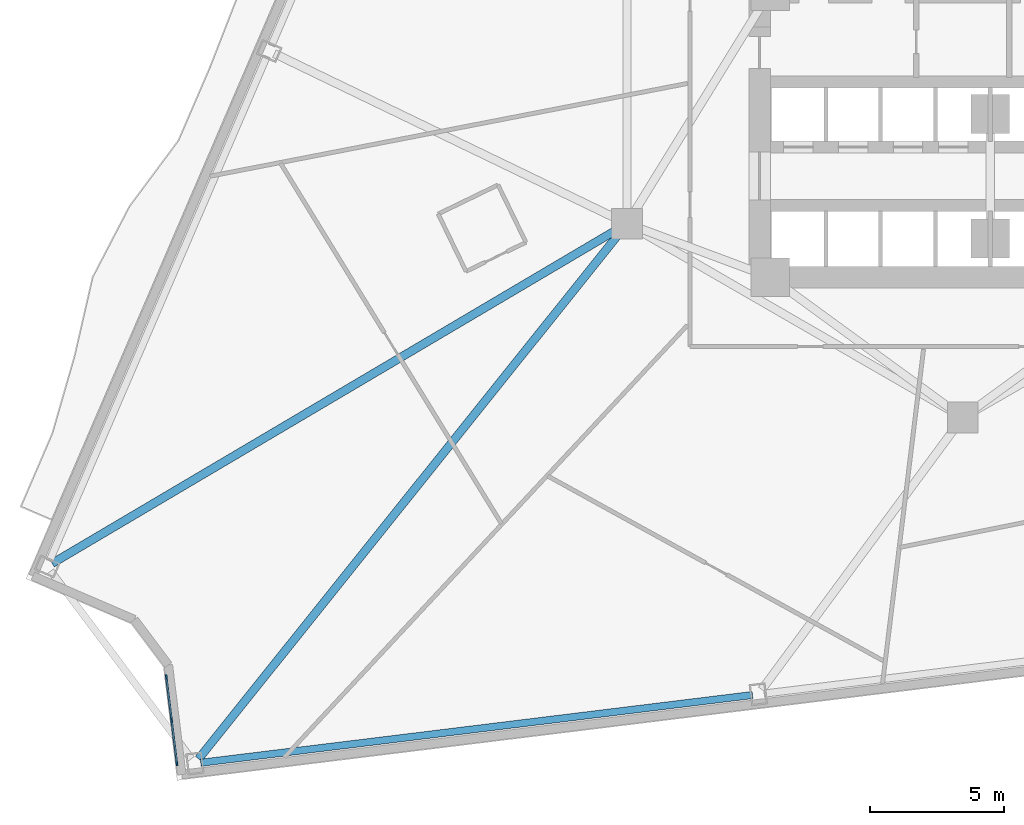
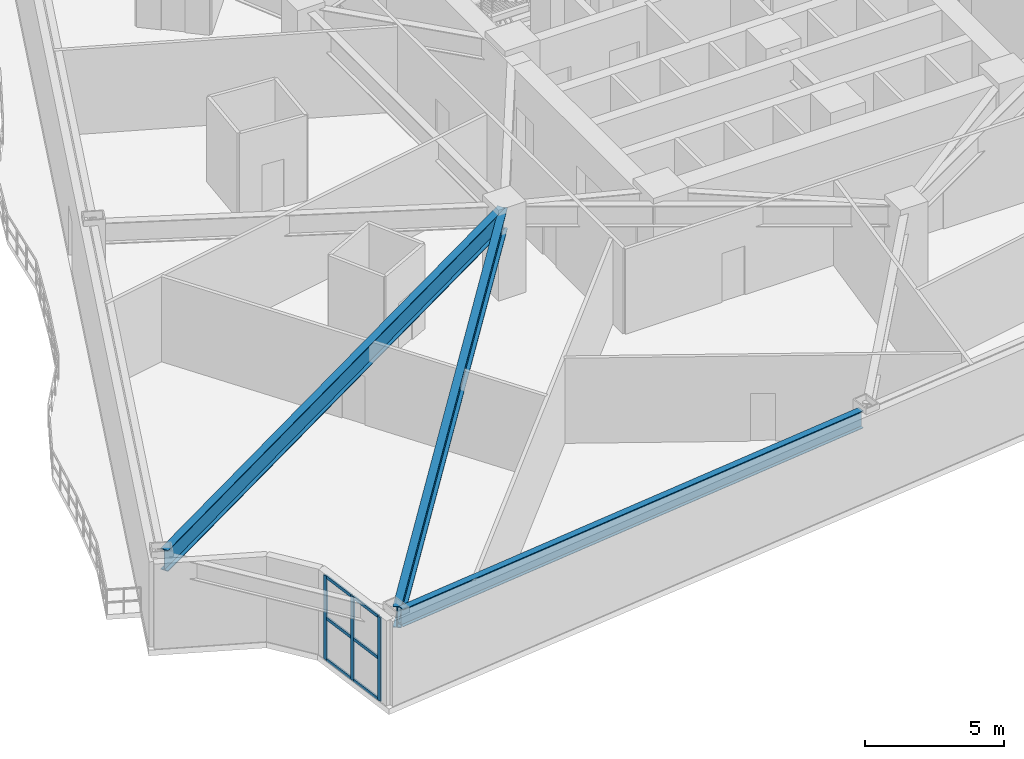
# One storey, part 2 of 14: 9 members, 3 beams, 1 element without a shape of its own.
"""IFC4 building model written with IfcOpenShell, lengths in metres."""

from ifc_helpers import new_model, si_unit, direction, frame, origin, origin_2d, place, context, subcontext, project, spatial, rectangle, i_section, extrude, material, layer, layer_set, material_profile, profile_set, type_object, element, aggregate, save


model = new_model("IFC4")

# Units and contexts
model_context = context("Model", 3, precision=1e-05, world=origin(), true_north=direction((0.0, 1.0)))
body_context = subcontext(model_context, "Body", "Model", "MODEL_VIEW")
ifc_project = project(units=[si_unit("LENGTHUNIT", "METRE"), si_unit("AREAUNIT", "SQUARE_METRE"), si_unit("VOLUMEUNIT", "CUBIC_METRE"), si_unit("PLANEANGLEUNIT", "RADIAN"), si_unit("MASSUNIT", "GRAM", prefix="KILO")], contexts=[model_context])

# Site, building, storey
site_placement = place(None, origin())
site = spatial("IfcSite", under=ifc_project, at=site_placement, CompositionType="ELEMENT")
building_placement = place(site_placement, origin())
building = spatial("IfcBuilding", under=site, at=building_placement, Name="Apsidion Concourse Tower", CompositionType="ELEMENT")
storey_placement = place(building_placement, frame((0.0, 0.0, 79.0)))
storey = spatial("IfcBuildingStorey", under=building, at=storey_placement, Name="L17", CompositionType="ELEMENT", Elevation=79.0)

# Beams
ifc_material_1 = material(Name="Structural steel ASTM A992 Grade 50", Category="steel")
ifc_material_profile_1 = material_profile(ifc_material_1, i_section(OverallWidth=0.31005859375, OverallDepth=0.931884765625, WebThickness=0.02099609375, FlangeThickness=0.034423828125, at=origin_2d()), Name="W36X210")
ifc_profile_set_1 = profile_set([ifc_material_profile_1], Name="Structural steel ASTM A992 Grade 50")
beam_type_1 = type_object("IfcBeamType", Name="BM-G-W36", PredefinedType="USERDEFINED", material=ifc_profile_set_1)
beam_1_placement = place(storey_placement, frame((-12.74951171875, -7.36181640625, 3.283935546875), z_axis=(-0.860932809824, -0.508718681561, 0.0), x_axis=(0.508718681561, -0.860932809824, 0.0)))
element("IfcBeam", 1, at=beam_1_placement, inside=storey, type_object=beam_type_1, Name="L17 Radial Floor Girder RAD-04", ObjectType="GIRDER", PredefinedType="USERDEFINED", context=body_context, shape_type="SweptSolid", body=[
    extrude(i_section(OverallWidth=0.31005859375, OverallDepth=0.931884765625, WebThickness=0.02099609375, FlangeThickness=0.034423828125, at=origin_2d()), origin(), (0.0, 0.0, 1.0), 24.759765625),
])
beam_2_placement = place(storey_placement, frame((-12.697509765625, -7.421630859375, 3.283935546875), z_axis=(-0.624987708563, -0.780634590667, 0.0), x_axis=(0.780634590667, -0.624987708563, 0.0)))
element("IfcBeam", 2, at=beam_2_placement, inside=storey, type_object=beam_type_1, Name="L17 Radial Floor Girder RAD-05", ObjectType="GIRDER", PredefinedType="USERDEFINED", context=body_context, shape_type="SweptSolid", body=[
    extrude(i_section(OverallWidth=0.31005859375, OverallDepth=0.931884765625, WebThickness=0.02099609375, FlangeThickness=0.034423828125, at=origin_2d()), origin(), (0.0, 0.0, 1.0), 25.429443359375),
])
ifc_material_profile_2 = material_profile(ifc_material_1, i_section(OverallWidth=0.26806640625, OverallDepth=0.77001953125, WebThickness=0.015625, FlangeThickness=0.025390625, at=origin_2d()), Name="W30X132")
ifc_profile_set_2 = profile_set([ifc_material_profile_2], Name="Structural steel ASTM A992 Grade 50")
beam_type_2 = type_object("IfcBeamType", Name="BM-SP-W30", PredefinedType="SPANDREL", material=ifc_profile_set_2)
beam_3_placement = place(storey_placement, frame((-28.509765625, -27.41748046875, 3.364990234375), z_axis=(0.992546743565, 0.121864522478, 0.0), x_axis=(-0.121864522478, 0.992546743565, 0.0)))
element("IfcBeam", 3, at=beam_3_placement, inside=storey, type_object=beam_type_2, Name="L17 Perimeter Spandrel Girder SP-05", PredefinedType="SPANDREL", context=body_context, shape_type="SweptSolid", body=[
    extrude(i_section(OverallWidth=0.26806640625, OverallDepth=0.77001953125, WebThickness=0.015625, FlangeThickness=0.025390625, at=origin_2d()), origin(), (0.0, 0.0, 1.0), 20.799072265625),
])

# Curtain wall, members
ifc_material_2 = material(Name="Insulated laminated low-E glass", Category="glass")
ifc_layer = layer(ifc_material_2, 0.219970703125)
ifc_layer_set = layer_set([ifc_layer], Name="Insulated laminated low-E glass")
curtain_wall_type = type_object("IfcCurtainWallType", Name="CW-SYS-04", PredefinedType="NOTDEFINED", material=ifc_layer_set)
curtain_wall_placement = place(storey_placement, origin())
curtain_wall = element("IfcCurtainWall", 4, at=curtain_wall_placement, inside=storey, type_object=curtain_wall_type, Name="L17 Corner Lounge Box Curtain Wall 6", PredefinedType="NOTDEFINED")
ifc_material_3 = material(Name="Anodised aluminium EN AW-6063 T6", Category="aluminium")
ifc_material_profile_3 = material_profile(ifc_material_3, rectangle(XDim=0.06494140625, YDim=0.179931640625, at=origin_2d()), Name="ALU MULLION 65x180")
ifc_profile_set_3 = profile_set([ifc_material_profile_3], Name="Anodised aluminium EN AW-6063 T6")
member_type_1 = type_object("IfcMemberType", Name="CWM-65X180", PredefinedType="MULLION", material=ifc_profile_set_3)
member_1_placement = place(storey_placement, frame((-29.40283203125, -27.43115234375, 0.0), z_axis=(0.0, 0.0, 1.0), x_axis=(-0.992544804906, -0.121880311182, 0.0)))
member_1 = element("IfcMember", 5, at=member_1_placement, type_object=member_type_1, Name="CW-04 mullion 1", PredefinedType="MULLION", context=body_context, shape_type="SweptSolid", body=[
    extrude(rectangle(XDim=0.06494140625, YDim=0.179931640625, at=origin_2d()), origin(), (0.0, 0.0, 1.0), 3.699951171875),
])
member_2_placement = place(storey_placement, frame((-29.60009765625, -25.824462890625, 0.0), z_axis=(0.0, 0.0, 1.0), x_axis=(-0.992544804906, -0.121880311182, 0.0)))
member_2 = element("IfcMember", 6, at=member_2_placement, type_object=member_type_1, Name="CW-04 mullion 2", PredefinedType="MULLION", context=body_context, shape_type="SweptSolid", body=[
    extrude(rectangle(XDim=0.06494140625, YDim=0.179931640625, at=origin_2d()), origin(), (0.0, 0.0, 1.0), 3.699951171875),
])
member_3_placement = place(storey_placement, frame((-29.79736328125, -24.2177734375, 0.0), z_axis=(0.0, 0.0, 1.0), x_axis=(-0.992544804906, -0.121880311182, 0.0)))
member_3 = element("IfcMember", 7, at=member_3_placement, type_object=member_type_1, Name="CW-04 mullion 3", PredefinedType="MULLION", context=body_context, shape_type="SweptSolid", body=[
    extrude(rectangle(XDim=0.06494140625, YDim=0.179931640625, at=origin_2d()), origin(), (0.0, 0.0, 1.0), 3.699951171875),
])
ifc_material_profile_4 = material_profile(ifc_material_3, rectangle(XDim=0.06494140625, YDim=0.139892578125, at=origin_2d()), Name="ALU TRANSOM 65x140")
ifc_profile_set_4 = profile_set([ifc_material_profile_4], Name="Anodised aluminium EN AW-6063 T6")
member_type_2 = type_object("IfcMemberType", Name="CWT-65X140", PredefinedType="USERDEFINED", material=ifc_profile_set_4)
member_4_placement = place(storey_placement, frame((-29.40673828125, -27.39892578125, 0.032470703125), z_axis=(-0.121926603855, 0.992539119266, 0.0), x_axis=(-0.992539119266, -0.121926603855, 0.0)))
member_4 = element("IfcMember", 8, at=member_4_placement, type_object=member_type_2, Name="CW-04 transom 1.1", ObjectType="TRANSOM", PredefinedType="USERDEFINED", context=body_context, shape_type="SweptSolid", body=[
    extrude(rectangle(XDim=0.06494140625, YDim=0.139892578125, at=origin_2d()), origin(), (0.0, 0.0, 1.0), 1.5537109375),
])
member_5_placement = place(storey_placement, frame((-29.40673828125, -27.39892578125, 1.85009765625), z_axis=(-0.121926603855, 0.992539119266, 0.0), x_axis=(-0.992539119266, -0.121926603855, 0.0)))
member_5 = element("IfcMember", 9, at=member_5_placement, type_object=member_type_2, Name="CW-04 transom 1.2", ObjectType="TRANSOM", PredefinedType="USERDEFINED", context=body_context, shape_type="SweptSolid", body=[
    extrude(rectangle(XDim=0.06494140625, YDim=0.139892578125, at=origin_2d()), origin(), (0.0, 0.0, 1.0), 1.5537109375),
])
member_6_placement = place(storey_placement, frame((-29.40673828125, -27.39892578125, 3.66748046875), z_axis=(-0.121926603855, 0.992539119266, 0.0), x_axis=(-0.992539119266, -0.121926603855, 0.0)))
member_6 = element("IfcMember", 10, at=member_6_placement, type_object=member_type_2, Name="CW-04 transom 1.3", ObjectType="TRANSOM", PredefinedType="USERDEFINED", context=body_context, shape_type="SweptSolid", body=[
    extrude(rectangle(XDim=0.06494140625, YDim=0.139892578125, at=origin_2d()), origin(), (0.0, 0.0, 1.0), 1.5537109375),
])
member_7_placement = place(storey_placement, frame((-29.60400390625, -25.792236328125, 0.032470703125), z_axis=(-0.121926603855, 0.992539119266, 0.0), x_axis=(-0.992539119266, -0.121926603855, 0.0)))
member_7 = element("IfcMember", 11, at=member_7_placement, type_object=member_type_2, Name="CW-04 transom 2.1", ObjectType="TRANSOM", PredefinedType="USERDEFINED", context=body_context, shape_type="SweptSolid", body=[
    extrude(rectangle(XDim=0.06494140625, YDim=0.139892578125, at=origin_2d()), origin(), (0.0, 0.0, 1.0), 1.5537109375),
])
member_8_placement = place(storey_placement, frame((-29.60400390625, -25.792236328125, 1.85009765625), z_axis=(-0.121926603855, 0.992539119266, 0.0), x_axis=(-0.992539119266, -0.121926603855, 0.0)))
member_8 = element("IfcMember", 12, at=member_8_placement, type_object=member_type_2, Name="CW-04 transom 2.2", ObjectType="TRANSOM", PredefinedType="USERDEFINED", context=body_context, shape_type="SweptSolid", body=[
    extrude(rectangle(XDim=0.06494140625, YDim=0.139892578125, at=origin_2d()), origin(), (0.0, 0.0, 1.0), 1.5537109375),
])
member_9_placement = place(storey_placement, frame((-29.60400390625, -25.792236328125, 3.66748046875), z_axis=(-0.121926603855, 0.992539119266, 0.0), x_axis=(-0.992539119266, -0.121926603855, 0.0)))
member_9 = element("IfcMember", 13, at=member_9_placement, type_object=member_type_2, Name="CW-04 transom 2.3", ObjectType="TRANSOM", PredefinedType="USERDEFINED", context=body_context, shape_type="SweptSolid", body=[
    extrude(rectangle(XDim=0.06494140625, YDim=0.139892578125, at=origin_2d()), origin(), (0.0, 0.0, 1.0), 1.5537109375),
])
aggregate(curtain_wall, [member_1, member_2, member_3, member_4, member_5, member_6, member_7, member_8, member_9])

save(model, "model.ifc")
